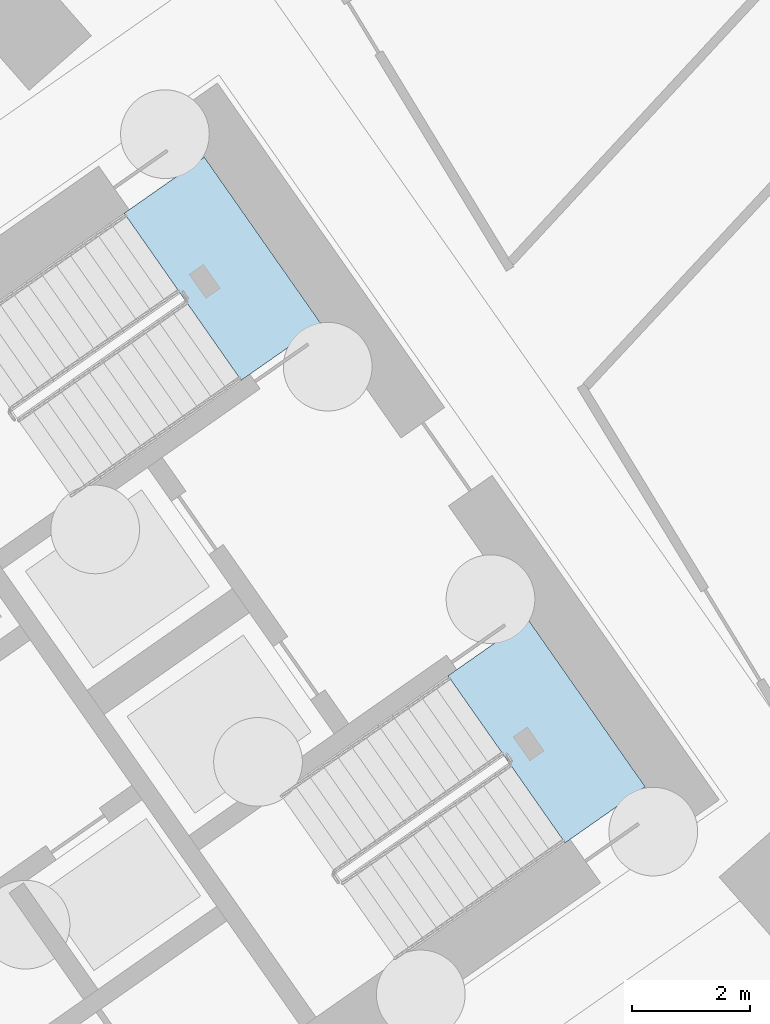
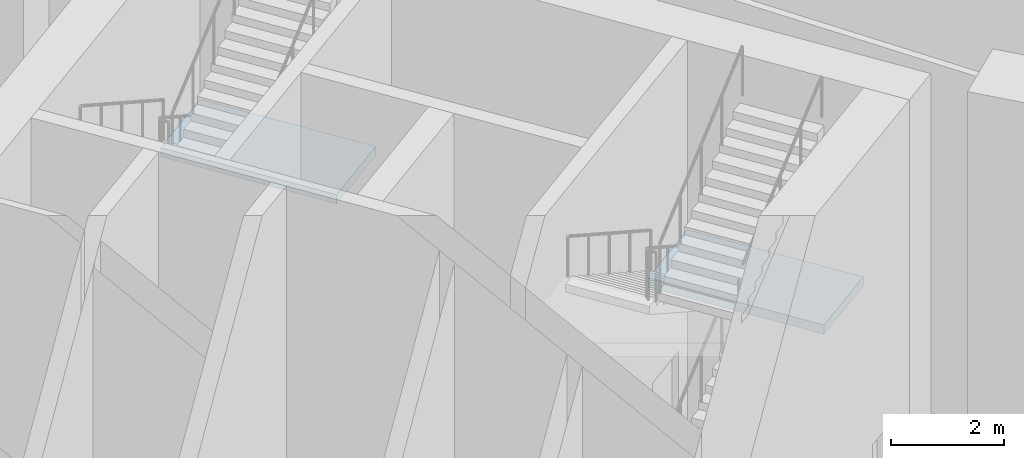
# One storey, part 3 of 23: 2 slabs, 2 elements without a shape of their own.
"""IFC4 building model written with IfcOpenShell, lengths in metres."""

from ifc_helpers import new_model, si_unit, direction, frame, origin, place, context, subcontext, project, spatial, polyline, outline, extrude, material, layer, layer_set, type_object, element, aggregate, save


model = new_model("IFC4")

# Units and contexts
model_context = context("Model", 3, precision=1e-05, world=origin(), true_north=direction((0.0, 1.0)))
body_context = subcontext(model_context, "Body", "Model", "MODEL_VIEW")
ifc_project = project(units=[si_unit("LENGTHUNIT", "METRE"), si_unit("AREAUNIT", "SQUARE_METRE"), si_unit("VOLUMEUNIT", "CUBIC_METRE"), si_unit("PLANEANGLEUNIT", "RADIAN"), si_unit("MASSUNIT", "GRAM", prefix="KILO")], contexts=[model_context])

# Site, building, storey
site_placement = place(None, origin())
site = spatial("IfcSite", under=ifc_project, at=site_placement, CompositionType="ELEMENT")
building_placement = place(site_placement, origin())
building = spatial("IfcBuilding", under=site, at=building_placement, Name="Qamariyya Broadcast Tower", CompositionType="ELEMENT")
storey_placement = place(building_placement, origin())
storey = spatial("IfcBuildingStorey", under=building, at=storey_placement, Name="L00", CompositionType="ELEMENT", Elevation=0.0)

# Stair, slab
ifc_material = material(Name="Concrete C50/60", Category="concrete")
stair_type = type_object("IfcStairType", Name="Exit stair 52 risers of 173 mm", PredefinedType="HALF_TURN_STAIR", material=ifc_material)
stair_1_placement = place(storey_placement, origin())
stair_1 = element("IfcStair", 1, at=stair_1_placement, inside=storey, type_object=stair_type, Name="L00 Stair E2", PredefinedType="HALF_TURN_STAIR")
ifc_layer = layer(ifc_material, 0.199951171875)
ifc_layer_set = layer_set([ifc_layer], Name="Stair landing")
slab_type = type_object("IfcSlabType", Name="Stair landing", PredefinedType="LANDING", material=ifc_layer_set)
slab_1_placement = place(storey_placement, frame((0.0, 0.0, 4.300048828125)))
slab_1 = element("IfcSlab", 2, at=slab_1_placement, type_object=slab_type, Name="ST-E2 landing 2", PredefinedType="LANDING", context=body_context, shape_type="SweptSolid", body=[
    extrude(outline(polyline([(41.437255859375, -46.06298828125), (40.082275390625, -47.01171875), (42.06103515625, -49.837890625), (43.416015625, -48.88916015625), (41.437255859375, -46.06298828125)])), origin(), (0.0, 0.0, 1.0), 0.199951171875),
])
aggregate(stair_1, [slab_1])

stair_2_placement = place(storey_placement, origin())
stair_2 = element("IfcStair", 3, at=stair_2_placement, inside=storey, type_object=stair_type, Name="L00 Stair E1", PredefinedType="HALF_TURN_STAIR")
slab_2_placement = place(storey_placement, frame((0.0, 0.0, 4.300048828125)))
slab_2 = element("IfcSlab", 4, at=slab_2_placement, type_object=slab_type, Name="ST-E1 landing 2", PredefinedType="LANDING", context=body_context, shape_type="SweptSolid", body=[
    extrude(outline(polyline([(46.914794921875, -53.885986328125), (45.559814453125, -54.834716796875), (47.538818359375, -57.66064453125), (48.8935546875, -56.7119140625), (46.914794921875, -53.885986328125)])), origin(), (0.0, 0.0, 1.0), 0.199951171875),
])
aggregate(stair_2, [slab_2])

save(model, "model.ifc")
